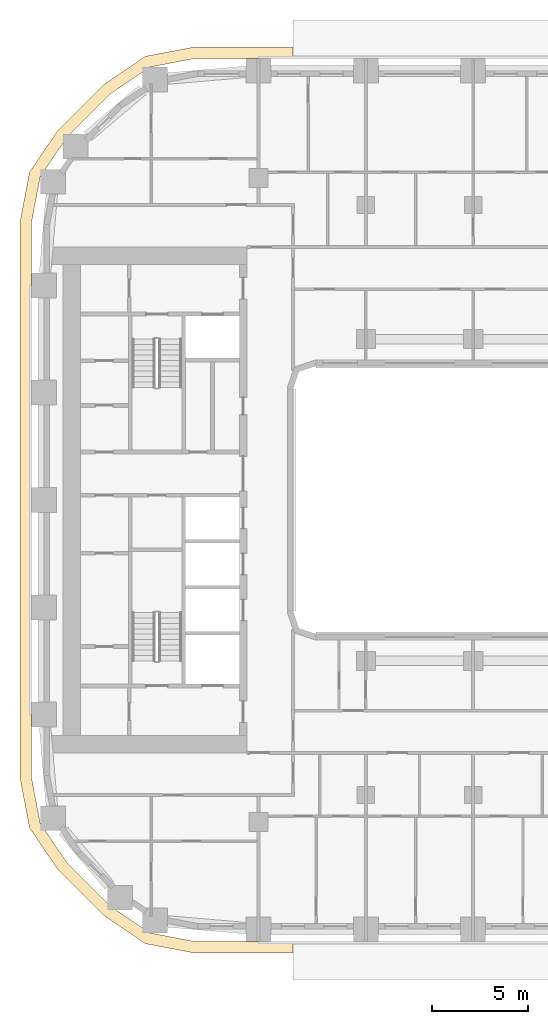
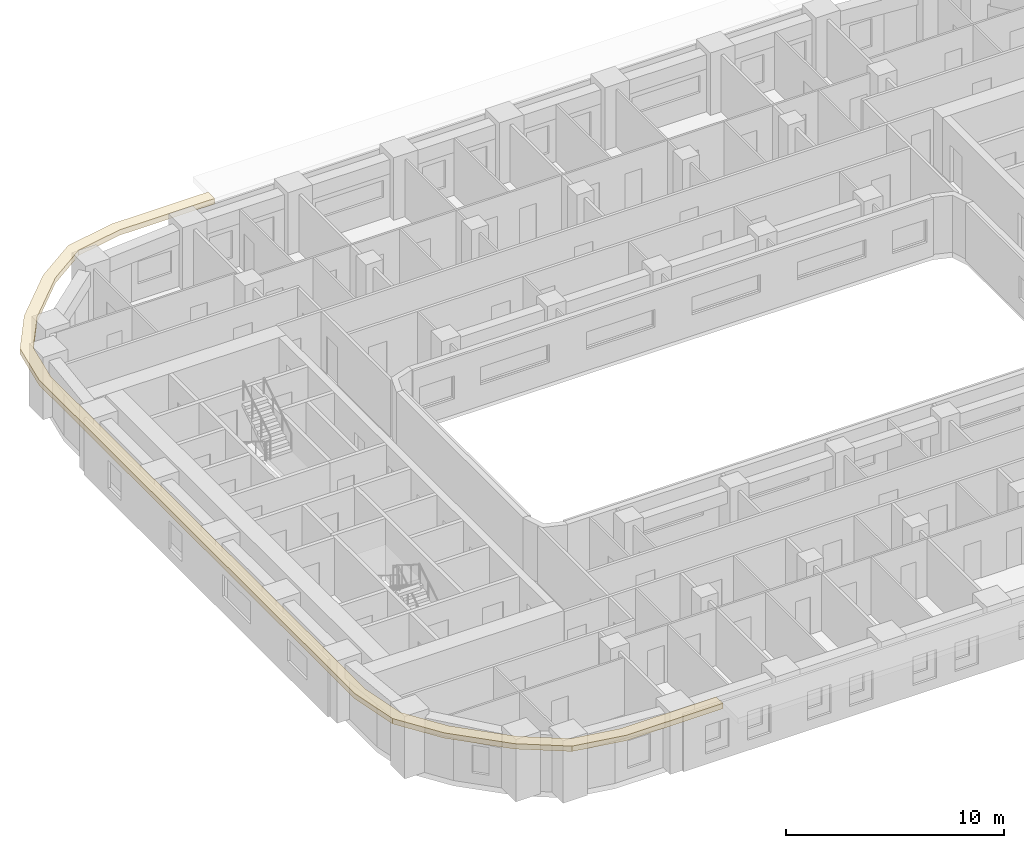
# One storey, part 15 of 23: 1 covering.
"""IFC4 building model written with IfcOpenShell, lengths in metres."""

from ifc_helpers import new_model, si_unit, direction, frame, origin, place, context, subcontext, project, spatial, polyline, outline, extrude, material, layer, layer_set, type_object, element, save


model = new_model("IFC4")

# Units and contexts
model_context = context("Model", 3, precision=1e-05, world=origin(), true_north=direction((0.0, 1.0)))
body_context = subcontext(model_context, "Body", "Model", "MODEL_VIEW")
ifc_project = project(units=[si_unit("LENGTHUNIT", "METRE"), si_unit("AREAUNIT", "SQUARE_METRE"), si_unit("VOLUMEUNIT", "CUBIC_METRE"), si_unit("PLANEANGLEUNIT", "RADIAN"), si_unit("MASSUNIT", "GRAM", prefix="KILO")], contexts=[model_context])

# Site, building, storey
site_placement = place(None, origin())
site = spatial("IfcSite", under=ifc_project, at=site_placement, CompositionType="ELEMENT")
building_placement = place(site_placement, origin())
building = spatial("IfcBuilding", under=site, at=building_placement, Name="Kiln Ring Residences", CompositionType="ELEMENT")
storey_placement = place(building_placement, frame((0.0, 0.0, 86.800048828125)))
storey = spatial("IfcBuildingStorey", under=building, at=storey_placement, Name="L21", CompositionType="ELEMENT", Elevation=86.800048828125)

# Covering
ifc_material = material(Name="Black powder-coated steel", Category="steel")
ifc_layer = layer(ifc_material, 0.300048828125)
ifc_layer_set = layer_set([ifc_layer], Name="SUNSHADE FIN 600")
covering_type = type_object("IfcCoveringType", Name="SUNSHADE FIN 600", PredefinedType="CLADDING", material=ifc_layer_set)
covering_placement = place(storey_placement, frame((0.0, 0.0, 3.199951171875)))
element("IfcCovering", 1, at=covering_placement, inside=storey, type_object=covering_type, Name="SUNSHADE FIN L21", PredefinedType="CLADDING", context=body_context, shape_type="SweptSolid", body=[
    extrude(outline(polyline([(-29.25, -14.51806640625), (-28.755126953125, -17.11279296875), (-27.2705078125, -19.29736328125), (-24.8974609375, -21.67041015625), (-22.712890625, -23.155029296875), (-20.1181640625, -23.64990234375), (-15.0, -23.64990234375), (-15.0, -23.050048828125), (-20.061279296875, -23.050048828125), (-22.478271484375, -22.589111328125), (-24.51318359375, -21.2060546875), (-26.805908203125, -18.9130859375), (-28.18896484375, -16.87841796875), (-28.64990234375, -14.46142578125), (-28.64990234375, 14.46142578125), (-28.18896484375, 16.87841796875), (-26.805908203125, 18.9130859375), (-24.51318359375, 21.2060546875), (-22.478271484375, 22.589111328125), (-20.061279296875, 23.050048828125), (-15.0, 23.050048828125), (-15.0, 23.64990234375), (-20.1181640625, 23.64990234375), (-22.712890625, 23.155029296875), (-24.8974609375, 21.67041015625), (-27.2705078125, 19.29736328125), (-28.755126953125, 17.11279296875), (-29.25, 14.51806640625), (-29.25, -14.51806640625)])), origin(), (0.0, 0.0, 1.0), 0.300048828125),
])

save(model, "model.ifc")
